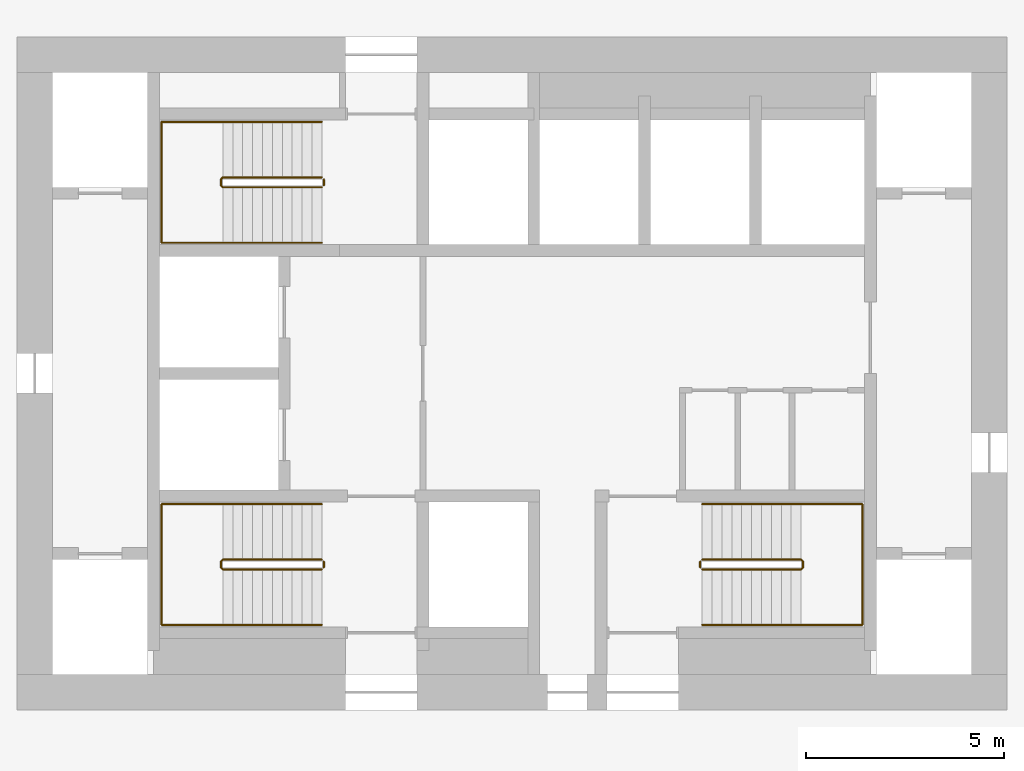
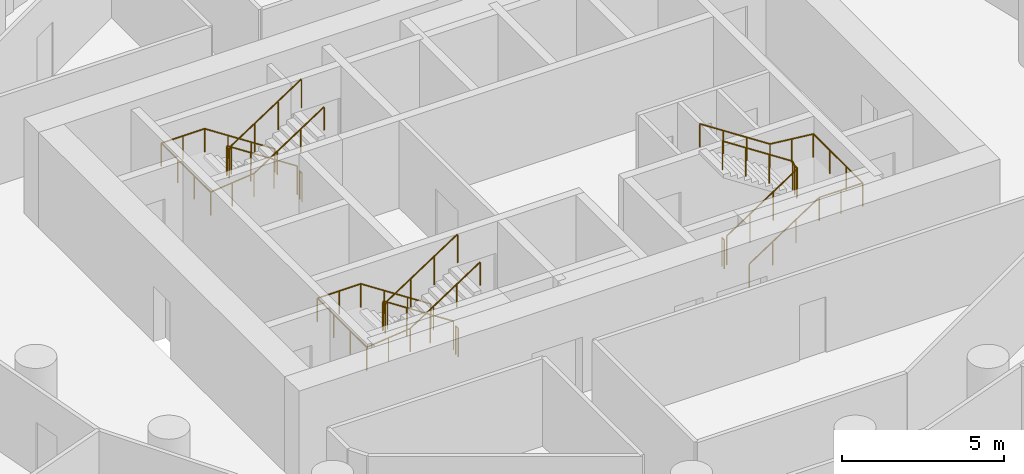
# One storey, part 9 of 9: 9 railings.
"""IFC4 building model written with IfcOpenShell, lengths in metres."""

from ifc_helpers import new_model, si_unit, direction, frame, origin, origin_2d, place, context, subcontext, project, spatial, circle, extrude, material, type_object, element, save


model = new_model("IFC4")

# Units and contexts
model_context = context("Model", 3, precision=1e-05, world=origin(), true_north=direction((0.0, 1.0)))
body_context = subcontext(model_context, "Body", "Model", "MODEL_VIEW")
ifc_project = project(units=[si_unit("LENGTHUNIT", "METRE"), si_unit("AREAUNIT", "SQUARE_METRE"), si_unit("VOLUMEUNIT", "CUBIC_METRE"), si_unit("PLANEANGLEUNIT", "RADIAN"), si_unit("MASSUNIT", "GRAM", prefix="KILO")], contexts=[model_context])

# Site, building, storey
site_placement = place(None, origin())
site = spatial("IfcSite", under=ifc_project, at=site_placement, CompositionType="ELEMENT")
building_placement = place(site_placement, origin())
building = spatial("IfcBuilding", under=site, at=building_placement, Name="Tracery Tower", CompositionType="ELEMENT")
storey_placement = place(building_placement, frame((0.0, 0.0, 176.39990234375)))
storey = spatial("IfcBuildingStorey", under=building, at=storey_placement, Name="L45", CompositionType="ELEMENT", Elevation=176.39990234375)

# Railings
ifc_material_1 = material(Name="Stainless steel and laminated glass", Category="steel")
railing_type_1 = type_object("IfcRailingType", Name="Stair guard 1100", PredefinedType="GUARDRAIL", material=ifc_material_1)
railing_1_placement = place(storey_placement, frame((-4.800048828125, -4.699951171875, 0.163818359375)))
element("IfcRailing", 1, at=railing_1_placement, inside=storey, type_object=railing_type_1, Name="L45 stair ST1 guard 1", PredefinedType="GUARDRAIL", context=body_context, shape_type="SweptSolid", body=[
    extrude(circle(Radius=0.02392578125, at=origin_2d()), frame((0.0, 0.0, 1.076171875), z_axis=(-0.836721939367, 0.0, 0.547627972425), x_axis=(0.0, -1.0, 0.0)), (0.0, 0.0, 1.0), 2.98779296875),
    extrude(circle(Radius=0.02392578125, at=origin_2d()), frame((-2.5, 0.0, 2.71240234375), z_axis=(-0.707106781187, -0.707106781187, 0.0), x_axis=(0.707106781187, -0.707106781187, 0.0)), (0.0, 0.0, 1.0), 0.07080078125),
    extrude(circle(Radius=0.02392578125, at=origin_2d()), frame((-2.550048828125, -0.050048828125, 2.71240234375), z_axis=(0.0, -1.0, 0.0), x_axis=(1.0, 0.0, 0.0)), (0.0, 0.0, 1.0), 0.14990234375),
    extrude(circle(Radius=0.02392578125, at=origin_2d()), frame((-2.550048828125, -0.199951171875, 2.71240234375), z_axis=(0.280808744504, -0.280808744504, 0.917765164963), x_axis=(0.707106781187, 0.707106781187, 0.0)), (0.0, 0.0, 1.0), 0.17822265625),
    extrude(circle(Radius=0.02392578125, at=origin_2d()), frame((-2.5, -0.25, 2.8759765625), z_axis=(0.83668449804, 0.0, 0.54768517484), x_axis=(0.0, 1.0, 0.0)), (0.0, 0.0, 1.0), 2.988037109375),
    extrude(circle(Radius=0.02099609375, at=origin_2d()), origin(), (0.0, 0.0, 1.0), 1.052001953125),
    extrude(circle(Radius=0.02099609375, at=origin_2d()), frame((-0.833251953125, 0.0, 0.54541015625)), (0.0, 0.0, 1.0), 1.052001953125),
    extrude(circle(Radius=0.02099609375, at=origin_2d()), frame((-1.666748046875, 0.0, 1.0908203125)), (0.0, 0.0, 1.0), 1.052001953125),
    extrude(circle(Radius=0.02099609375, at=origin_2d()), frame((-2.5, 0.0, 1.63623046875)), (0.0, 0.0, 1.0), 1.052001953125),
    extrude(circle(Radius=0.02099609375, at=origin_2d()), frame((-2.550048828125, -0.050048828125, 1.63623046875)), (0.0, 0.0, 1.0), 1.052001953125),
    extrude(circle(Radius=0.02099609375, at=origin_2d()), frame((-2.550048828125, -0.199951171875, 1.63623046875)), (0.0, 0.0, 1.0), 1.052001953125),
    extrude(circle(Radius=0.02099609375, at=origin_2d()), frame((-2.5, -0.25, 1.7998046875)), (0.0, 0.0, 1.0), 1.052001953125),
    extrude(circle(Radius=0.02099609375, at=origin_2d()), frame((-1.666748046875, -0.25, 2.34521484375)), (0.0, 0.0, 1.0), 1.052001953125),
    extrude(circle(Radius=0.02099609375, at=origin_2d()), frame((-0.833251953125, -0.25, 2.890869140625)), (0.0, 0.0, 1.0), 1.052001953125),
    extrude(circle(Radius=0.02099609375, at=origin_2d()), frame((0.0, -0.25, 3.436279296875)), (0.0, 0.0, 1.0), 1.052001953125),
])
railing_2_placement = place(storey_placement, frame((-4.75, -4.75, 0.0)))
element("IfcRailing", 2, at=railing_2_placement, inside=storey, type_object=railing_type_1, Name="L45 stair ST1 guard 2", PredefinedType="GUARDRAIL", context=body_context, shape_type="SweptSolid", body=[
    extrude(circle(Radius=0.02392578125, at=origin_2d()), frame((0.0, 0.0, 1.076171875), z_axis=(0.0, -1.0, 0.0), x_axis=(1.0, 0.0, 0.0)), (0.0, 0.0, 1.0), 0.14990234375),
    extrude(circle(Radius=0.02099609375, at=origin_2d()), origin(), (0.0, 0.0, 1.0), 1.052001953125),
    extrude(circle(Radius=0.02099609375, at=origin_2d()), frame((0.0, -0.14990234375, 0.0)), (0.0, 0.0, 1.0), 1.052001953125),
])
railing_3_placement = place(storey_placement, frame((-4.800048828125, 4.949951171875, 0.163818359375)))
element("IfcRailing", 3, at=railing_3_placement, inside=storey, type_object=railing_type_1, Name="L45 stair ST3 guard 1", PredefinedType="GUARDRAIL", context=body_context, shape_type="SweptSolid", body=[
    extrude(circle(Radius=0.02392578125, at=origin_2d()), frame((0.0, 0.0, 1.076171875), z_axis=(-0.836721939367, 0.0, 0.547627972425), x_axis=(0.0, -1.0, 0.0)), (0.0, 0.0, 1.0), 2.98779296875),
    extrude(circle(Radius=0.02392578125, at=origin_2d()), frame((-2.5, 0.0, 2.71240234375), z_axis=(-0.707106781187, -0.707106781187, 0.0), x_axis=(0.707106781187, -0.707106781187, 0.0)), (0.0, 0.0, 1.0), 0.07080078125),
    extrude(circle(Radius=0.02392578125, at=origin_2d()), frame((-2.550048828125, -0.050048828125, 2.71240234375), z_axis=(0.0, -1.0, 0.0), x_axis=(1.0, 0.0, 0.0)), (0.0, 0.0, 1.0), 0.14990234375),
    extrude(circle(Radius=0.02392578125, at=origin_2d()), frame((-2.550048828125, -0.199951171875, 2.71240234375), z_axis=(0.280808744504, -0.280808744504, 0.917765164963), x_axis=(0.707106781187, 0.707106781187, 0.0)), (0.0, 0.0, 1.0), 0.17822265625),
    extrude(circle(Radius=0.02392578125, at=origin_2d()), frame((-2.5, -0.25, 2.8759765625), z_axis=(0.83668449804, 0.0, 0.54768517484), x_axis=(0.0, 1.0, 0.0)), (0.0, 0.0, 1.0), 2.988037109375),
    extrude(circle(Radius=0.02099609375, at=origin_2d()), origin(), (0.0, 0.0, 1.0), 1.052001953125),
    extrude(circle(Radius=0.02099609375, at=origin_2d()), frame((-0.833251953125, 0.0, 0.54541015625)), (0.0, 0.0, 1.0), 1.052001953125),
    extrude(circle(Radius=0.02099609375, at=origin_2d()), frame((-1.666748046875, 0.0, 1.0908203125)), (0.0, 0.0, 1.0), 1.052001953125),
    extrude(circle(Radius=0.02099609375, at=origin_2d()), frame((-2.5, 0.0, 1.63623046875)), (0.0, 0.0, 1.0), 1.052001953125),
    extrude(circle(Radius=0.02099609375, at=origin_2d()), frame((-2.550048828125, -0.050048828125, 1.63623046875)), (0.0, 0.0, 1.0), 1.052001953125),
    extrude(circle(Radius=0.02099609375, at=origin_2d()), frame((-2.550048828125, -0.199951171875, 1.63623046875)), (0.0, 0.0, 1.0), 1.052001953125),
    extrude(circle(Radius=0.02099609375, at=origin_2d()), frame((-2.5, -0.25, 1.7998046875)), (0.0, 0.0, 1.0), 1.052001953125),
    extrude(circle(Radius=0.02099609375, at=origin_2d()), frame((-1.666748046875, -0.25, 2.34521484375)), (0.0, 0.0, 1.0), 1.052001953125),
    extrude(circle(Radius=0.02099609375, at=origin_2d()), frame((-0.833251953125, -0.25, 2.890869140625)), (0.0, 0.0, 1.0), 1.052001953125),
    extrude(circle(Radius=0.02099609375, at=origin_2d()), frame((0.0, -0.25, 3.436279296875)), (0.0, 0.0, 1.0), 1.052001953125),
])
railing_4_placement = place(storey_placement, frame((-4.75, 4.89990234375, 0.0)))
element("IfcRailing", 4, at=railing_4_placement, inside=storey, type_object=railing_type_1, Name="L45 stair ST3 guard 2", PredefinedType="GUARDRAIL", context=body_context, shape_type="SweptSolid", body=[
    extrude(circle(Radius=0.02392578125, at=origin_2d()), frame((0.0, 0.0, 1.076171875), z_axis=(0.0, -1.0, 0.0), x_axis=(1.0, 0.0, 0.0)), (0.0, 0.0, 1.0), 0.14990234375),
    extrude(circle(Radius=0.02099609375, at=origin_2d()), origin(), (0.0, 0.0, 1.0), 1.052001953125),
    extrude(circle(Radius=0.02099609375, at=origin_2d()), frame((0.0, -0.14990234375, 0.0)), (0.0, 0.0, 1.0), 1.052001953125),
])
railing_5_placement = place(storey_placement, frame((4.800048828125, -4.949951171875, 0.163818359375)))
element("IfcRailing", 5, at=railing_5_placement, inside=storey, type_object=railing_type_1, Name="L45 stair ST2 guard 1", PredefinedType="GUARDRAIL", context=body_context, shape_type="SweptSolid", body=[
    extrude(circle(Radius=0.02392578125, at=origin_2d()), frame((0.0, 0.0, 1.076171875), z_axis=(0.836721939367, 0.0, 0.547627972425), x_axis=(0.0, 1.0, 0.0)), (0.0, 0.0, 1.0), 2.98779296875),
    extrude(circle(Radius=0.02392578125, at=origin_2d()), frame((2.5, 0.0, 2.71240234375), z_axis=(0.707106781187, 0.707106781187, 0.0), x_axis=(-0.707106781187, 0.707106781187, 0.0)), (0.0, 0.0, 1.0), 0.07080078125),
    extrude(circle(Radius=0.02392578125, at=origin_2d()), frame((2.550048828125, 0.050048828125, 2.71240234375), z_axis=(0.0, 1.0, 0.0), x_axis=(-1.0, 0.0, 0.0)), (0.0, 0.0, 1.0), 0.14990234375),
    extrude(circle(Radius=0.02392578125, at=origin_2d()), frame((2.550048828125, 0.199951171875, 2.71240234375), z_axis=(-0.280808744504, 0.280808744504, 0.917765164963), x_axis=(-0.707106781187, -0.707106781187, 0.0)), (0.0, 0.0, 1.0), 0.17822265625),
    extrude(circle(Radius=0.02392578125, at=origin_2d()), frame((2.5, 0.25, 2.8759765625), z_axis=(-0.83668449804, 0.0, 0.54768517484), x_axis=(0.0, -1.0, 0.0)), (0.0, 0.0, 1.0), 2.988037109375),
    extrude(circle(Radius=0.02099609375, at=origin_2d()), origin(), (0.0, 0.0, 1.0), 1.052001953125),
    extrude(circle(Radius=0.02099609375, at=origin_2d()), frame((0.833251953125, 0.0, 0.54541015625)), (0.0, 0.0, 1.0), 1.052001953125),
    extrude(circle(Radius=0.02099609375, at=origin_2d()), frame((1.666748046875, 0.0, 1.0908203125)), (0.0, 0.0, 1.0), 1.052001953125),
    extrude(circle(Radius=0.02099609375, at=origin_2d()), frame((2.5, 0.0, 1.63623046875)), (0.0, 0.0, 1.0), 1.052001953125),
    extrude(circle(Radius=0.02099609375, at=origin_2d()), frame((2.550048828125, 0.050048828125, 1.63623046875)), (0.0, 0.0, 1.0), 1.052001953125),
    extrude(circle(Radius=0.02099609375, at=origin_2d()), frame((2.550048828125, 0.199951171875, 1.63623046875)), (0.0, 0.0, 1.0), 1.052001953125),
    extrude(circle(Radius=0.02099609375, at=origin_2d()), frame((2.5, 0.25, 1.7998046875)), (0.0, 0.0, 1.0), 1.052001953125),
    extrude(circle(Radius=0.02099609375, at=origin_2d()), frame((1.666748046875, 0.25, 2.34521484375)), (0.0, 0.0, 1.0), 1.052001953125),
    extrude(circle(Radius=0.02099609375, at=origin_2d()), frame((0.833251953125, 0.25, 2.890869140625)), (0.0, 0.0, 1.0), 1.052001953125),
    extrude(circle(Radius=0.02099609375, at=origin_2d()), frame((0.0, 0.25, 3.436279296875)), (0.0, 0.0, 1.0), 1.052001953125),
])
railing_6_placement = place(storey_placement, frame((4.75, -4.89990234375, 0.0)))
element("IfcRailing", 6, at=railing_6_placement, inside=storey, type_object=railing_type_1, Name="L45 stair ST2 guard 2", PredefinedType="GUARDRAIL", context=body_context, shape_type="SweptSolid", body=[
    extrude(circle(Radius=0.02392578125, at=origin_2d()), frame((0.0, 0.0, 1.076171875), z_axis=(0.0, 1.0, 0.0), x_axis=(-1.0, 0.0, 0.0)), (0.0, 0.0, 1.0), 0.14990234375),
    extrude(circle(Radius=0.02099609375, at=origin_2d()), origin(), (0.0, 0.0, 1.0), 1.052001953125),
    extrude(circle(Radius=0.02099609375, at=origin_2d()), frame((0.0, 0.14990234375, 0.0)), (0.0, 0.0, 1.0), 1.052001953125),
])
ifc_material_2 = material(Name="Stainless steel and laminated glass", Category="steel")
railing_type_2 = type_object("IfcRailingType", Name="Stair handrail 900", PredefinedType="HANDRAIL", material=ifc_material_2)
railing_7_placement = place(storey_placement, frame((-4.800048828125, -3.300048828125, 0.163818359375)))
element("IfcRailing", 7, at=railing_7_placement, inside=storey, type_object=railing_type_2, Name="L45 stair ST1 handrail 1", PredefinedType="HANDRAIL", context=body_context, shape_type="SweptSolid", body=[
    extrude(circle(Radius=0.02392578125, at=origin_2d()), frame((0.0, 0.0, 0.8759765625), z_axis=(-0.836721939367, 0.0, 0.547627972425), x_axis=(0.0, -1.0, 0.0)), (0.0, 0.0, 1.0), 2.98779296875),
    extrude(circle(Radius=0.02392578125, at=origin_2d()), frame((-2.5, 0.0, 2.51220703125), z_axis=(-1.0, 0.0, 0.0), x_axis=(0.0, -1.0, 0.0)), (0.0, 0.0, 1.0), 1.550048828125),
    extrude(circle(Radius=0.02392578125, at=origin_2d()), frame((-4.050048828125, 0.0, 2.51220703125), z_axis=(0.0, -1.0, 0.0), x_axis=(1.0, 0.0, 0.0)), (0.0, 0.0, 1.0), 3.050048828125),
    extrude(circle(Radius=0.02392578125, at=origin_2d()), frame((-4.050048828125, -3.050048828125, 2.51220703125), z_axis=(0.994477953863, 0.0, 0.104945696817), x_axis=(0.0, 1.0, 0.0)), (0.0, 0.0, 1.0), 1.55859375),
    extrude(circle(Radius=0.02392578125, at=origin_2d()), frame((-2.5, -3.050048828125, 2.67578125), z_axis=(0.83668449804, 0.0, 0.54768517484), x_axis=(0.0, 1.0, 0.0)), (0.0, 0.0, 1.0), 2.988037109375),
    extrude(circle(Radius=0.02099609375, at=origin_2d()), origin(), (0.0, 0.0, 1.0), 0.851806640625),
    extrude(circle(Radius=0.02099609375, at=origin_2d()), frame((-0.833251953125, 0.0, 0.54541015625)), (0.0, 0.0, 1.0), 0.851806640625),
    extrude(circle(Radius=0.02099609375, at=origin_2d()), frame((-1.666748046875, 0.0, 1.0908203125)), (0.0, 0.0, 1.0), 0.851806640625),
    extrude(circle(Radius=0.02099609375, at=origin_2d()), frame((-2.5, 0.0, 1.63623046875)), (0.0, 0.0, 1.0), 0.851806640625),
    extrude(circle(Radius=0.02099609375, at=origin_2d()), frame((-3.27490234375, 0.0, 1.63623046875)), (0.0, 0.0, 1.0), 0.851806640625),
    extrude(circle(Radius=0.02099609375, at=origin_2d()), frame((-4.050048828125, 0.0, 1.63623046875)), (0.0, 0.0, 1.0), 0.851806640625),
    extrude(circle(Radius=0.02099609375, at=origin_2d()), frame((-4.050048828125, -1.0166015625, 1.63623046875)), (0.0, 0.0, 1.0), 0.851806640625),
    extrude(circle(Radius=0.02099609375, at=origin_2d()), frame((-4.050048828125, -2.033447265625, 1.63623046875)), (0.0, 0.0, 1.0), 0.851806640625),
    extrude(circle(Radius=0.02099609375, at=origin_2d()), frame((-4.050048828125, -3.050048828125, 1.63623046875)), (0.0, 0.0, 1.0), 0.851806640625),
    extrude(circle(Radius=0.02099609375, at=origin_2d()), frame((-3.27490234375, -3.050048828125, 1.718017578125)), (0.0, 0.0, 1.0), 0.851806640625),
    extrude(circle(Radius=0.02099609375, at=origin_2d()), frame((-2.5, -3.050048828125, 1.7998046875)), (0.0, 0.0, 1.0), 0.851806640625),
    extrude(circle(Radius=0.02099609375, at=origin_2d()), frame((-1.666748046875, -3.050048828125, 2.34521484375)), (0.0, 0.0, 1.0), 0.851806640625),
    extrude(circle(Radius=0.02099609375, at=origin_2d()), frame((-0.833251953125, -3.050048828125, 2.890869140625)), (0.0, 0.0, 1.0), 0.851806640625),
    extrude(circle(Radius=0.02099609375, at=origin_2d()), frame((0.0, -3.050048828125, 3.436279296875)), (0.0, 0.0, 1.0), 0.851806640625),
])
railing_8_placement = place(storey_placement, frame((-4.800048828125, 6.35009765625, 0.163818359375)))
element("IfcRailing", 8, at=railing_8_placement, inside=storey, type_object=railing_type_2, Name="L45 stair ST3 handrail 1", PredefinedType="HANDRAIL", context=body_context, shape_type="SweptSolid", body=[
    extrude(circle(Radius=0.02392578125, at=origin_2d()), frame((0.0, 0.0, 0.8759765625), z_axis=(-0.836721939367, 0.0, 0.547627972425), x_axis=(0.0, -1.0, 0.0)), (0.0, 0.0, 1.0), 2.98779296875),
    extrude(circle(Radius=0.02392578125, at=origin_2d()), frame((-2.5, 0.0, 2.51220703125), z_axis=(-1.0, 0.0, 0.0), x_axis=(0.0, -1.0, 0.0)), (0.0, 0.0, 1.0), 1.550048828125),
    extrude(circle(Radius=0.02392578125, at=origin_2d()), frame((-4.050048828125, 0.0, 2.51220703125), z_axis=(0.0, -1.0, 0.0), x_axis=(1.0, 0.0, 0.0)), (0.0, 0.0, 1.0), 3.050048828125),
    extrude(circle(Radius=0.02392578125, at=origin_2d()), frame((-4.050048828125, -3.050048828125, 2.51220703125), z_axis=(0.994477953863, 0.0, 0.104945696817), x_axis=(0.0, 1.0, 0.0)), (0.0, 0.0, 1.0), 1.55859375),
    extrude(circle(Radius=0.02392578125, at=origin_2d()), frame((-2.5, -3.050048828125, 2.67578125), z_axis=(0.83668449804, 0.0, 0.54768517484), x_axis=(0.0, 1.0, 0.0)), (0.0, 0.0, 1.0), 2.988037109375),
    extrude(circle(Radius=0.02099609375, at=origin_2d()), origin(), (0.0, 0.0, 1.0), 0.851806640625),
    extrude(circle(Radius=0.02099609375, at=origin_2d()), frame((-0.833251953125, 0.0, 0.54541015625)), (0.0, 0.0, 1.0), 0.851806640625),
    extrude(circle(Radius=0.02099609375, at=origin_2d()), frame((-1.666748046875, 0.0, 1.0908203125)), (0.0, 0.0, 1.0), 0.851806640625),
    extrude(circle(Radius=0.02099609375, at=origin_2d()), frame((-2.5, 0.0, 1.63623046875)), (0.0, 0.0, 1.0), 0.851806640625),
    extrude(circle(Radius=0.02099609375, at=origin_2d()), frame((-3.27490234375, 0.0, 1.63623046875)), (0.0, 0.0, 1.0), 0.851806640625),
    extrude(circle(Radius=0.02099609375, at=origin_2d()), frame((-4.050048828125, 0.0, 1.63623046875)), (0.0, 0.0, 1.0), 0.851806640625),
    extrude(circle(Radius=0.02099609375, at=origin_2d()), frame((-4.050048828125, -1.0166015625, 1.63623046875)), (0.0, 0.0, 1.0), 0.851806640625),
    extrude(circle(Radius=0.02099609375, at=origin_2d()), frame((-4.050048828125, -2.033447265625, 1.63623046875)), (0.0, 0.0, 1.0), 0.851806640625),
    extrude(circle(Radius=0.02099609375, at=origin_2d()), frame((-4.050048828125, -3.050048828125, 1.63623046875)), (0.0, 0.0, 1.0), 0.851806640625),
    extrude(circle(Radius=0.02099609375, at=origin_2d()), frame((-3.27490234375, -3.050048828125, 1.718017578125)), (0.0, 0.0, 1.0), 0.851806640625),
    extrude(circle(Radius=0.02099609375, at=origin_2d()), frame((-2.5, -3.050048828125, 1.7998046875)), (0.0, 0.0, 1.0), 0.851806640625),
    extrude(circle(Radius=0.02099609375, at=origin_2d()), frame((-1.666748046875, -3.050048828125, 2.34521484375)), (0.0, 0.0, 1.0), 0.851806640625),
    extrude(circle(Radius=0.02099609375, at=origin_2d()), frame((-0.833251953125, -3.050048828125, 2.890869140625)), (0.0, 0.0, 1.0), 0.851806640625),
    extrude(circle(Radius=0.02099609375, at=origin_2d()), frame((0.0, -3.050048828125, 3.436279296875)), (0.0, 0.0, 1.0), 0.851806640625),
])
railing_9_placement = place(storey_placement, frame((4.800048828125, -6.35009765625, 0.163818359375)))
element("IfcRailing", 9, at=railing_9_placement, inside=storey, type_object=railing_type_2, Name="L45 stair ST2 handrail 1", PredefinedType="HANDRAIL", context=body_context, shape_type="SweptSolid", body=[
    extrude(circle(Radius=0.02392578125, at=origin_2d()), frame((0.0, 0.0, 0.8759765625), z_axis=(0.836721939367, 0.0, 0.547627972425), x_axis=(0.0, 1.0, 0.0)), (0.0, 0.0, 1.0), 2.98779296875),
    extrude(circle(Radius=0.02392578125, at=origin_2d()), frame((2.5, 0.0, 2.51220703125), z_axis=(1.0, 0.0, 0.0), x_axis=(0.0, 1.0, 0.0)), (0.0, 0.0, 1.0), 1.550048828125),
    extrude(circle(Radius=0.02392578125, at=origin_2d()), frame((4.050048828125, 0.0, 2.51220703125), z_axis=(0.0, 1.0, 0.0), x_axis=(-1.0, 0.0, 0.0)), (0.0, 0.0, 1.0), 3.050048828125),
    extrude(circle(Radius=0.02392578125, at=origin_2d()), frame((4.050048828125, 3.050048828125, 2.51220703125), z_axis=(-0.994477953863, 0.0, 0.104945696817), x_axis=(0.0, -1.0, 0.0)), (0.0, 0.0, 1.0), 1.55859375),
    extrude(circle(Radius=0.02392578125, at=origin_2d()), frame((2.5, 3.050048828125, 2.67578125), z_axis=(-0.83668449804, 0.0, 0.54768517484), x_axis=(0.0, -1.0, 0.0)), (0.0, 0.0, 1.0), 2.988037109375),
    extrude(circle(Radius=0.02099609375, at=origin_2d()), origin(), (0.0, 0.0, 1.0), 0.851806640625),
    extrude(circle(Radius=0.02099609375, at=origin_2d()), frame((0.833251953125, 0.0, 0.54541015625)), (0.0, 0.0, 1.0), 0.851806640625),
    extrude(circle(Radius=0.02099609375, at=origin_2d()), frame((1.666748046875, 0.0, 1.0908203125)), (0.0, 0.0, 1.0), 0.851806640625),
    extrude(circle(Radius=0.02099609375, at=origin_2d()), frame((2.5, 0.0, 1.63623046875)), (0.0, 0.0, 1.0), 0.851806640625),
    extrude(circle(Radius=0.02099609375, at=origin_2d()), frame((3.27490234375, 0.0, 1.63623046875)), (0.0, 0.0, 1.0), 0.851806640625),
    extrude(circle(Radius=0.02099609375, at=origin_2d()), frame((4.050048828125, 0.0, 1.63623046875)), (0.0, 0.0, 1.0), 0.851806640625),
    extrude(circle(Radius=0.02099609375, at=origin_2d()), frame((4.050048828125, 1.0166015625, 1.63623046875)), (0.0, 0.0, 1.0), 0.851806640625),
    extrude(circle(Radius=0.02099609375, at=origin_2d()), frame((4.050048828125, 2.033447265625, 1.63623046875)), (0.0, 0.0, 1.0), 0.851806640625),
    extrude(circle(Radius=0.02099609375, at=origin_2d()), frame((4.050048828125, 3.050048828125, 1.63623046875)), (0.0, 0.0, 1.0), 0.851806640625),
    extrude(circle(Radius=0.02099609375, at=origin_2d()), frame((3.27490234375, 3.050048828125, 1.718017578125)), (0.0, 0.0, 1.0), 0.851806640625),
    extrude(circle(Radius=0.02099609375, at=origin_2d()), frame((2.5, 3.050048828125, 1.7998046875)), (0.0, 0.0, 1.0), 0.851806640625),
    extrude(circle(Radius=0.02099609375, at=origin_2d()), frame((1.666748046875, 3.050048828125, 2.34521484375)), (0.0, 0.0, 1.0), 0.851806640625),
    extrude(circle(Radius=0.02099609375, at=origin_2d()), frame((0.833251953125, 3.050048828125, 2.890869140625)), (0.0, 0.0, 1.0), 0.851806640625),
    extrude(circle(Radius=0.02099609375, at=origin_2d()), frame((0.0, 3.050048828125, 3.436279296875)), (0.0, 0.0, 1.0), 0.851806640625),
])

save(model, "model.ifc")
